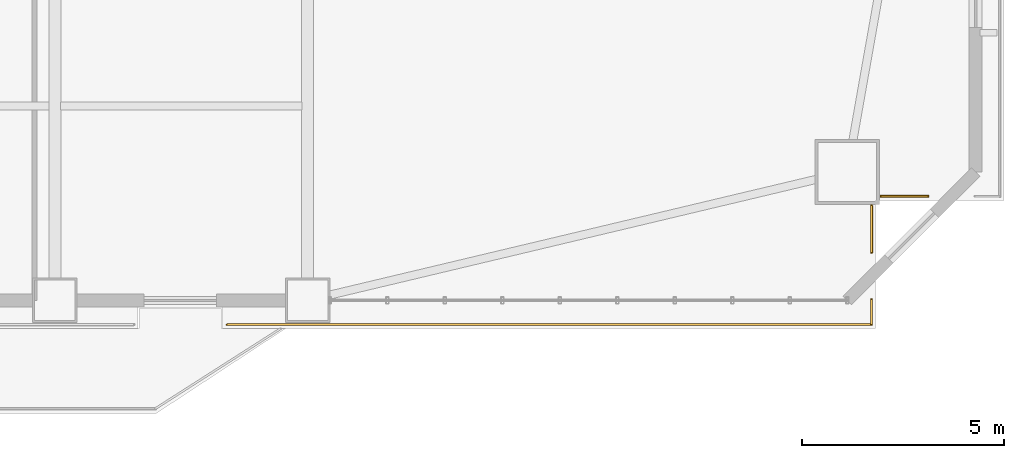
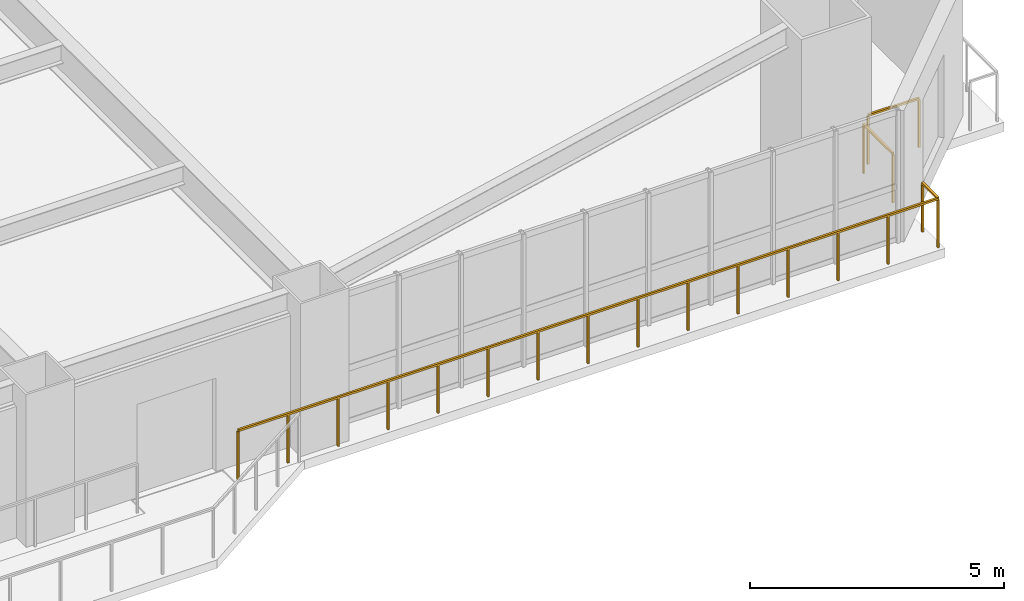
# One storey, part 14 of 17: 4 railings.
"""IFC4 building model written with IfcOpenShell, lengths in metres."""

import ifcopenshell
import ifcopenshell.guid

model = None  # the IFC model being written
_history = None  # IfcOwnerHistory: only IFC2X3 demands one
_inside = {}  # id of a spatial element -> (the spatial element, [elements in it])
_under = {}  # id of a project, library or spatial element -> (it, [spatial elements below it])
_declared = {}  # id of a project -> (the project, [libraries it declares])
_typed = {}  # id of a type object -> (the type object, [elements of that type])
_made_of = {}  # id of a material, layer set ... -> (it, [elements and type objects made of it])


def new_model(schema):
    """Start an empty IFC model of exactly this schema.

    Asked for "IFC4X3", IfcOpenShell would pick the latest addendum, in which some entities
    have other attributes; the version numbers below select the first issue.
    IFC2X3 requires an IfcOwnerHistory on every rooted entity: one is made here for all.
    """
    global model, _history
    if schema == "IFC4X3":
        model = ifcopenshell.file(schema_version=(4, 3, 0, 0))
    else:
        model = ifcopenshell.file(schema=schema)
    _inside.clear()
    _under.clear()
    _declared.clear()
    _typed.clear()
    _made_of.clear()
    _history = None
    if model.schema == "IFC2X3":
        org = make("IfcOrganization", Name="unknown")
        user = make(
            "IfcPersonAndOrganization",
            ThePerson=make("IfcPerson", FamilyName="unknown"),
            TheOrganization=org,
        )
        app = make(
            "IfcApplication",
            ApplicationDeveloper=org,
            Version="unknown",
            ApplicationFullName="unknown",
            ApplicationIdentifier="unknown",
        )
        _history = make(
            "IfcOwnerHistory",
            OwningUser=user,
            OwningApplication=app,
            ChangeAction="ADDED",
            CreationDate=0,
        )
    return model


def make(cls, **values):
    """One entity of the class cls with the attributes given. An attribute that is None is left unset."""
    return model.create_entity(
        cls, **{name: value for name, value in values.items() if value is not None}
    )


def rooted(cls, **values):
    """An entity with a GlobalId (a new one), such as an element, a storey or a relation."""
    return make(cls, GlobalId=ifcopenshell.guid.new(), OwnerHistory=_history, **values)


def si_unit(unit_type, name, prefix=None):
    """IfcSIUnit, for example si_unit("LENGTHUNIT", "METRE", prefix="MILLI")."""
    return make("IfcSIUnit", UnitType=unit_type, Prefix=prefix, Name=name)


def assignment(units):
    """IfcUnitAssignment: the units of a project."""
    return None if units is None else make("IfcUnitAssignment", Units=units)


def point(xyz):
    """IfcCartesianPoint."""
    return None if xyz is None else make("IfcCartesianPoint", Coordinates=xyz)


def direction(xyz):
    """IfcDirection."""
    return None if xyz is None else make("IfcDirection", DirectionRatios=xyz)


def frame(location, z_axis=None, x_axis=None):
    """IfcAxis2Placement3D, a coordinate frame: its origin and axes. An axis left out is left unset."""
    return make(
        "IfcAxis2Placement3D",
        Location=point(location),
        Axis=direction(z_axis),
        RefDirection=direction(x_axis),
    )


def frame_2d(location, x_axis=None):
    """IfcAxis2Placement2D, a coordinate frame in the plane: its origin and x axis."""
    return make(
        "IfcAxis2Placement2D", Location=point(location), RefDirection=direction(x_axis)
    )


def origin():
    """The frame at (0, 0, 0) with its axes left unset."""
    return frame((0.0, 0.0, 0.0))


def origin_2d():
    """The frame at (0, 0) in the plane with its x axis left unset."""
    return frame_2d((0.0, 0.0))


def place(relative_to, where):
    """IfcLocalPlacement: puts the frame where relative to a parent placement (None: the world)."""
    return make(
        "IfcLocalPlacement", PlacementRelTo=relative_to, RelativePlacement=where
    )


def context(
    kind, dimensions, precision=None, world=None, true_north=None, identifier=None
):
    """IfcGeometricRepresentationContext, for example the 3D "Model" context."""
    return make(
        "IfcGeometricRepresentationContext",
        ContextIdentifier=identifier,
        ContextType=kind,
        CoordinateSpaceDimension=dimensions,
        Precision=precision,
        WorldCoordinateSystem=world,
        TrueNorth=true_north,
    )


def subcontext(parent, identifier, kind, view, scale=None):
    """IfcGeometricRepresentationSubContext, for example "Body" below "Model"."""
    return make(
        "IfcGeometricRepresentationSubContext",
        ContextIdentifier=identifier,
        ContextType=kind,
        ParentContext=parent,
        TargetScale=scale,
        TargetView=view,
    )


def project(units=None, contexts=None):
    """IfcProject with its units and contexts."""
    return rooted(
        "IfcProject",
        Name="project",
        RepresentationContexts=contexts,
        UnitsInContext=assignment(units),
    )


def spatial(cls, under=None, at=None, **own):
    """A site, building, storey or space (cls), placed at a placement, below another one or the project."""
    s = rooted(cls, ObjectPlacement=at, **own)
    if under is not None:
        _under.setdefault(under.id(), (under, []))[1].append(s)
    return s


def profile(cls, at=None, kind="AREA", **sizes):
    """A parametric profile (cls). Its sizes go by their IFC names, for example OverallWidth=200.0."""
    return make(cls, ProfileType=kind, Position=at, **sizes)


def rectangle(**sizes):
    """IfcRectangleProfileDef."""
    return profile("IfcRectangleProfileDef", **sizes)


def extrude(swept, where, along, depth):
    """IfcExtrudedAreaSolid: the profile swept, set in the frame where, extruded along a direction by depth."""
    return make(
        "IfcExtrudedAreaSolid",
        SweptArea=swept,
        Position=where,
        ExtrudedDirection=direction(along),
        Depth=depth,
    )


def shape(context_of_items, identifier, shape_type, items):
    """IfcShapeRepresentation: the items that make up one representation, for example the "Body"."""
    return make(
        "IfcShapeRepresentation",
        ContextOfItems=context_of_items,
        RepresentationIdentifier=identifier,
        RepresentationType=shape_type,
        Items=items,
    )


def material(Name=None, Category=None):
    """IfcMaterial."""
    return make("IfcMaterial", Name=Name, Category=Category)


def made_of(thing, what):
    """Note that an element or type object is made of a material, layer set ...; save() writes the relation."""
    if what is not None:
        _made_of.setdefault(what.id(), (what, []))[1].append(thing)
    return thing


def type_object(cls, material=None, **own):
    """A type object (cls), such as IfcWallType, which elements share."""
    return made_of(rooted(cls, **own), material)


def element(
    cls,
    number,
    at=None,
    inside=None,
    cuts=None,
    type_object=None,
    material=None,
    context=None,
    identifier="Body",
    shape_type=None,
    held_by="IfcProductDefinitionShape",
    body=None,
    shapes=None,
    **own,
):
    """One element of the class cls, such as IfcWall. Its Tag is "e" and its number.

    at: its placement. inside: the storey or other place that contains it. cuts: it is an
    opening in that element (IfcRelVoidsElement). A single representation is given by context,
    identifier, shape_type and body (its items); several are given by shapes. held_by: the class
    of the entity that holds the representations. save() writes the other relations.
    """
    e = rooted(cls, Tag="e%d" % number, ObjectPlacement=at, **own)
    if body is not None:
        shapes = [shape(context, identifier, shape_type, body)]
    if shapes is not None:
        e.Representation = make(held_by, Representations=shapes)
    if inside is not None:
        _inside.setdefault(inside.id(), (inside, []))[1].append(e)
    if cuts is not None:
        rooted(
            "IfcRelVoidsElement", RelatingBuildingElement=cuts, RelatedOpeningElement=e
        )
    if type_object is not None:
        _typed.setdefault(type_object.id(), (type_object, []))[1].append(e)
    return made_of(e, material)


def aggregate(whole, parts):
    """IfcRelAggregates: a whole, such as a stair, and the parts it consists of."""
    return rooted("IfcRelAggregates", RelatingObject=whole, RelatedObjects=parts)


def save(model, path):
    """Write the relations noted so far, then the file.

    IfcRelAggregates (storeys below a building ...), IfcRelContainedInSpatialStructure (elements
    in a storey), IfcRelDefinesByType, IfcRelAssociatesMaterial and IfcRelDeclares: one each for
    every whole, place, type object, material and project.
    """
    for whole, parts in _under.values():
        aggregate(whole, parts)
    for where, things in _inside.values():
        rooted(
            "IfcRelContainedInSpatialStructure",
            RelatedElements=things,
            RelatingStructure=where,
        )
    for kind, things in _typed.values():
        rooted("IfcRelDefinesByType", RelatedObjects=things, RelatingType=kind)
    for what, things in _made_of.values():
        rooted("IfcRelAssociatesMaterial", RelatedObjects=things, RelatingMaterial=what)
    for by, libraries in _declared.values():
        rooted("IfcRelDeclares", RelatingContext=by, RelatedDefinitions=libraries)
    model.write(path)


model = new_model("IFC4")

# Units and contexts
model_context = context("Model", 3, precision=1e-05, world=origin(), true_north=direction((0.0, 1.0)))
body_context = subcontext(model_context, "Body", "Model", "MODEL_VIEW")
ifc_project = project(units=[si_unit("LENGTHUNIT", "METRE"), si_unit("AREAUNIT", "SQUARE_METRE"), si_unit("VOLUMEUNIT", "CUBIC_METRE"), si_unit("PLANEANGLEUNIT", "RADIAN"), si_unit("MASSUNIT", "GRAM", prefix="KILO")], contexts=[model_context])

# Site, building, storey
site_placement = place(None, origin())
site = spatial("IfcSite", under=ifc_project, at=site_placement, CompositionType="ELEMENT")
building_placement = place(site_placement, origin())
building = spatial("IfcBuilding", under=site, at=building_placement, Name="Giltprow Tower", CompositionType="ELEMENT")
storey_placement = place(building_placement, frame((0.0, 0.0, 41.0)))
storey = spatial("IfcBuildingStorey", under=building, at=storey_placement, Name="L10", CompositionType="ELEMENT", Elevation=41.0)

# Railings
ifc_material = material(Name="Anodized bronze", Category="metal")
railing_type = type_object("IfcRailingType", Name="RAIL-BALC-GUARD-1200", PredefinedType="BALUSTRADE", material=ifc_material)
railing_1_placement = place(storey_placement, frame((65.884033203125, 6.39990234375, 0.0)))
element("IfcRailing", 1, at=railing_1_placement, inside=storey, type_object=railing_type, Name="L10 Corner Apron Edge Balustrade 16", PredefinedType="BALUSTRADE", context=body_context, shape_type="SweptSolid", body=[
    extrude(rectangle(XDim=0.048095703125, YDim=0.048095703125, at=origin_2d()), frame((0.0, 0.0, 1.17578125), z_axis=(-1.0, 0.0, 0.0), x_axis=(0.0, -1.0, 0.0)), (0.0, 0.0, 1.0), 1.157958984375),
    extrude(rectangle(XDim=0.0419921875, YDim=0.0419921875, at=origin_2d()), origin(), (0.0, 0.0, 1.0), 1.15185546875),
    extrude(rectangle(XDim=0.0419921875, YDim=0.0419921875, at=origin_2d()), frame((-1.157958984375, 0.0, 0.0)), (0.0, 0.0, 1.0), 1.15185546875),
])
railing_2_placement = place(storey_placement, frame((64.490966796875, 6.166015625, 0.0)))
element("IfcRailing", 2, at=railing_2_placement, inside=storey, type_object=railing_type, Name="L10 Corner Apron Edge Balustrade 17", PredefinedType="BALUSTRADE", context=body_context, shape_type="SweptSolid", body=[
    extrude(rectangle(XDim=0.048095703125, YDim=0.048095703125, at=origin_2d()), frame((0.0, 0.0, 1.17578125), z_axis=(0.0, -1.0, 0.0), x_axis=(1.0, 0.0, 0.0)), (0.0, 0.0, 1.0), 1.158935546875),
    extrude(rectangle(XDim=0.0419921875, YDim=0.0419921875, at=origin_2d()), origin(), (0.0, 0.0, 1.0), 1.15185546875),
    extrude(rectangle(XDim=0.0419921875, YDim=0.0419921875, at=origin_2d()), frame((0.0, -1.158935546875, 0.0)), (0.0, 0.0, 1.0), 1.15185546875),
])
railing_3_placement = place(storey_placement, frame((64.490966796875, 3.846923828125, 0.0)))
element("IfcRailing", 3, at=railing_3_placement, inside=storey, type_object=railing_type, Name="L10 Corner Apron Edge Balustrade 18", PredefinedType="BALUSTRADE", context=body_context, shape_type="SweptSolid", body=[
    extrude(rectangle(XDim=0.048095703125, YDim=0.048095703125, at=origin_2d()), frame((0.0, 0.0, 1.17578125), z_axis=(0.0, -1.0, 0.0), x_axis=(1.0, 0.0, 0.0)), (0.0, 0.0, 1.0), 0.619873046875),
    extrude(rectangle(XDim=0.0419921875, YDim=0.0419921875, at=origin_2d()), origin(), (0.0, 0.0, 1.0), 1.15185546875),
    extrude(rectangle(XDim=0.0419921875, YDim=0.0419921875, at=origin_2d()), frame((0.0, -0.619873046875, 0.0)), (0.0, 0.0, 1.0), 1.15185546875),
])
railing_4_placement = place(storey_placement, frame((64.490966796875, 3.22705078125, 0.0)))
element("IfcRailing", 4, at=railing_4_placement, inside=storey, type_object=railing_type, Name="L10 Corner Apron Edge Balustrade 19", PredefinedType="BALUSTRADE", context=body_context, shape_type="SweptSolid", body=[
    extrude(rectangle(XDim=0.048095703125, YDim=0.048095703125, at=origin_2d()), frame((0.0, 0.0, 1.17578125), z_axis=(-1.0, 0.0, 0.0), x_axis=(0.0, -1.0, 0.0)), (0.0, 0.0, 1.0), 15.94091796875),
    extrude(rectangle(XDim=0.0419921875, YDim=0.0419921875, at=origin_2d()), origin(), (0.0, 0.0, 1.0), 1.15185546875),
    extrude(rectangle(XDim=0.0419921875, YDim=0.0419921875, at=origin_2d()), frame((-1.138671875, 0.0, 0.0)), (0.0, 0.0, 1.0), 1.15185546875),
    extrude(rectangle(XDim=0.0419921875, YDim=0.0419921875, at=origin_2d()), frame((-2.27734375, 0.0, 0.0)), (0.0, 0.0, 1.0), 1.15185546875),
    extrude(rectangle(XDim=0.0419921875, YDim=0.0419921875, at=origin_2d()), frame((-3.416015625, 0.0, 0.0)), (0.0, 0.0, 1.0), 1.15185546875),
    extrude(rectangle(XDim=0.0419921875, YDim=0.0419921875, at=origin_2d()), frame((-4.554443359375, 0.0, 0.0)), (0.0, 0.0, 1.0), 1.15185546875),
    extrude(rectangle(XDim=0.0419921875, YDim=0.0419921875, at=origin_2d()), frame((-5.693115234375, 0.0, 0.0)), (0.0, 0.0, 1.0), 1.15185546875),
    extrude(rectangle(XDim=0.0419921875, YDim=0.0419921875, at=origin_2d()), frame((-6.831787109375, 0.0, 0.0)), (0.0, 0.0, 1.0), 1.15185546875),
    extrude(rectangle(XDim=0.0419921875, YDim=0.0419921875, at=origin_2d()), frame((-7.970458984375, 0.0, 0.0)), (0.0, 0.0, 1.0), 1.15185546875),
    extrude(rectangle(XDim=0.0419921875, YDim=0.0419921875, at=origin_2d()), frame((-9.109130859375, 0.0, 0.0)), (0.0, 0.0, 1.0), 1.15185546875),
    extrude(rectangle(XDim=0.0419921875, YDim=0.0419921875, at=origin_2d()), frame((-10.247802734375, 0.0, 0.0)), (0.0, 0.0, 1.0), 1.15185546875),
    extrude(rectangle(XDim=0.0419921875, YDim=0.0419921875, at=origin_2d()), frame((-11.386474609375, 0.0, 0.0)), (0.0, 0.0, 1.0), 1.15185546875),
    extrude(rectangle(XDim=0.0419921875, YDim=0.0419921875, at=origin_2d()), frame((-12.52490234375, 0.0, 0.0)), (0.0, 0.0, 1.0), 1.15185546875),
    extrude(rectangle(XDim=0.0419921875, YDim=0.0419921875, at=origin_2d()), frame((-13.66357421875, 0.0, 0.0)), (0.0, 0.0, 1.0), 1.15185546875),
    extrude(rectangle(XDim=0.0419921875, YDim=0.0419921875, at=origin_2d()), frame((-14.80224609375, 0.0, 0.0)), (0.0, 0.0, 1.0), 1.15185546875),
    extrude(rectangle(XDim=0.0419921875, YDim=0.0419921875, at=origin_2d()), frame((-15.94091796875, 0.0, 0.0)), (0.0, 0.0, 1.0), 1.15185546875),
])

save(model, "model.ifc")
